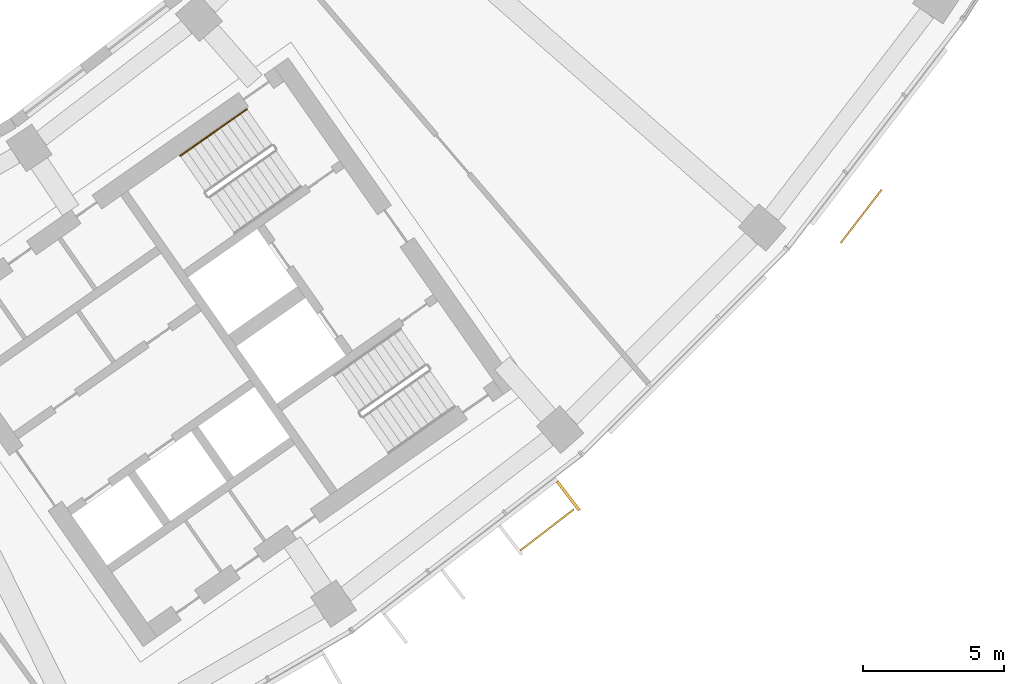
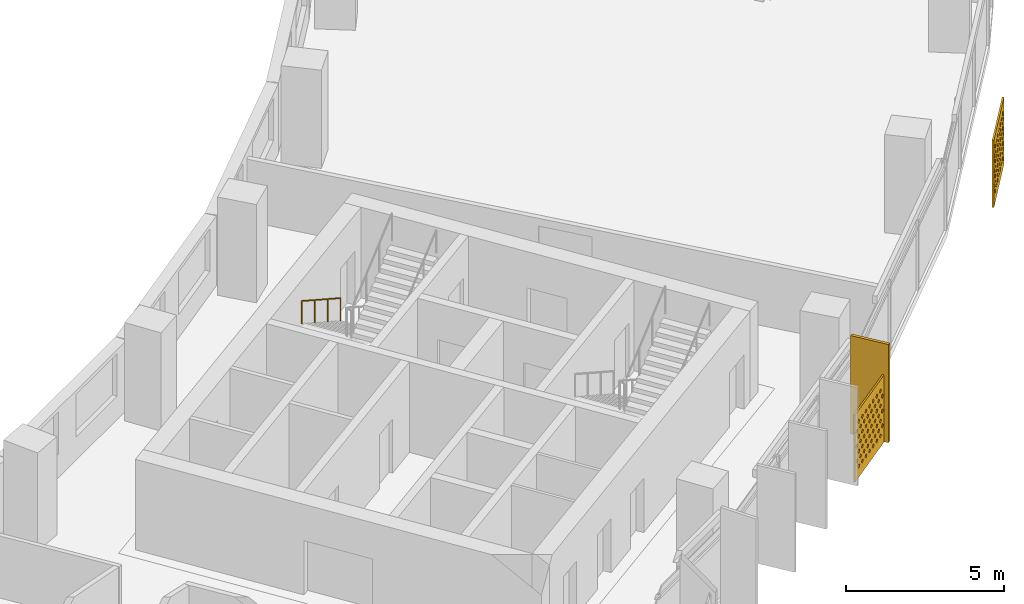
# One storey, part 26 of 26: 3 shading devices, 1 railing.
"""IFC4 building model written with IfcOpenShell, lengths in metres."""

from ifc_helpers import new_model, si_unit, direction, frame, origin, origin_2d, place, context, subcontext, project, spatial, polyline, rectangle, circle, outline, extrude, material, material_profile, profile_set, type_object, element, save


model = new_model("IFC4")

# Units and contexts
model_context = context("Model", 3, precision=1e-05, world=origin(), true_north=direction((0.0, 1.0)))
body_context = subcontext(model_context, "Body", "Model", "MODEL_VIEW")
ifc_project = project(units=[si_unit("LENGTHUNIT", "METRE"), si_unit("AREAUNIT", "SQUARE_METRE"), si_unit("VOLUMEUNIT", "CUBIC_METRE"), si_unit("PLANEANGLEUNIT", "RADIAN"), si_unit("MASSUNIT", "GRAM", prefix="KILO")], contexts=[model_context])

# Site, building, storey
site_placement = place(None, origin())
site = spatial("IfcSite", under=ifc_project, at=site_placement, CompositionType="ELEMENT")
building_placement = place(site_placement, origin())
building = spatial("IfcBuilding", under=site, at=building_placement, Name="Qamariyya Broadcast Tower", CompositionType="ELEMENT")
storey_placement = place(building_placement, frame((0.0, 0.0, 168.300048828125)))
storey = spatial("IfcBuildingStorey", under=building, at=storey_placement, Name="L39", CompositionType="ELEMENT", Elevation=168.300048828125)

# Shading devices
ifc_material_1 = material(Name="Perforated glazed terracotta", Category="masonry")
ifc_material_profile_1 = material_profile(ifc_material_1, outline(polyline([(-1.199951171875, -1.300048828125), (1.199951171875, -1.300048828125), (1.199951171875, 1.300048828125), (-1.199951171875, 1.300048828125), (-1.199951171875, -1.300048828125)]), holes=[polyline([(-0.81494140625, -0.86669921875), (-0.89990234375, -0.78173828125), (-0.985107421875, -0.86669921875), (-0.89990234375, -0.95166015625), (-0.81494140625, -0.86669921875)]), polyline([(-0.514892578125, -0.86669921875), (-0.60009765625, -0.78173828125), (-0.68505859375, -0.86669921875), (-0.60009765625, -0.95166015625), (-0.514892578125, -0.86669921875)]), polyline([(-0.215087890625, -0.86669921875), (-0.300048828125, -0.78173828125), (-0.385009765625, -0.86669921875), (-0.300048828125, -0.95166015625), (-0.215087890625, -0.86669921875)]), polyline([(0.0849609375, -0.86669921875), (0.0, -0.78173828125), (-0.0849609375, -0.86669921875), (0.0, -0.95166015625), (0.0849609375, -0.86669921875)]), polyline([(0.385009765625, -0.86669921875), (0.300048828125, -0.78173828125), (0.215087890625, -0.86669921875), (0.300048828125, -0.95166015625), (0.385009765625, -0.86669921875)]), polyline([(0.68505859375, -0.86669921875), (0.60009765625, -0.78173828125), (0.514892578125, -0.86669921875), (0.60009765625, -0.95166015625), (0.68505859375, -0.86669921875)]), polyline([(0.985107421875, -0.86669921875), (0.89990234375, -0.78173828125), (0.81494140625, -0.86669921875), (0.89990234375, -0.95166015625), (0.985107421875, -0.86669921875)]), polyline([(-0.965087890625, -0.577880859375), (-1.050048828125, -0.49267578125), (-1.135009765625, -0.577880859375), (-1.050048828125, -0.662841796875), (-0.965087890625, -0.577880859375)]), polyline([(-0.6650390625, -0.577880859375), (-0.75, -0.49267578125), (-0.8349609375, -0.577880859375), (-0.75, -0.662841796875), (-0.6650390625, -0.577880859375)]), polyline([(-0.364990234375, -0.577880859375), (-0.449951171875, -0.49267578125), (-0.534912109375, -0.577880859375), (-0.449951171875, -0.662841796875), (-0.364990234375, -0.577880859375)]), polyline([(-0.06494140625, -0.577880859375), (-0.14990234375, -0.49267578125), (-0.235107421875, -0.577880859375), (-0.14990234375, -0.662841796875), (-0.06494140625, -0.577880859375)]), polyline([(0.235107421875, -0.577880859375), (0.14990234375, -0.49267578125), (0.06494140625, -0.577880859375), (0.14990234375, -0.662841796875), (0.235107421875, -0.577880859375)]), polyline([(0.534912109375, -0.577880859375), (0.449951171875, -0.49267578125), (0.364990234375, -0.577880859375), (0.449951171875, -0.662841796875), (0.534912109375, -0.577880859375)]), polyline([(0.8349609375, -0.577880859375), (0.75, -0.49267578125), (0.6650390625, -0.577880859375), (0.75, -0.662841796875), (0.8349609375, -0.577880859375)]), polyline([(1.135009765625, -0.577880859375), (1.050048828125, -0.49267578125), (0.965087890625, -0.577880859375), (1.050048828125, -0.662841796875), (1.135009765625, -0.577880859375)]), polyline([(-0.81494140625, -0.288818359375), (-0.89990234375, -0.203857421875), (-0.985107421875, -0.288818359375), (-0.89990234375, -0.373779296875), (-0.81494140625, -0.288818359375)]), polyline([(-0.514892578125, -0.288818359375), (-0.60009765625, -0.203857421875), (-0.68505859375, -0.288818359375), (-0.60009765625, -0.373779296875), (-0.514892578125, -0.288818359375)]), polyline([(-0.215087890625, -0.288818359375), (-0.300048828125, -0.203857421875), (-0.385009765625, -0.288818359375), (-0.300048828125, -0.373779296875), (-0.215087890625, -0.288818359375)]), polyline([(0.0849609375, -0.288818359375), (0.0, -0.203857421875), (-0.0849609375, -0.288818359375), (0.0, -0.373779296875), (0.0849609375, -0.288818359375)]), polyline([(0.385009765625, -0.288818359375), (0.300048828125, -0.203857421875), (0.215087890625, -0.288818359375), (0.300048828125, -0.373779296875), (0.385009765625, -0.288818359375)]), polyline([(0.68505859375, -0.288818359375), (0.60009765625, -0.203857421875), (0.514892578125, -0.288818359375), (0.60009765625, -0.373779296875), (0.68505859375, -0.288818359375)]), polyline([(0.985107421875, -0.288818359375), (0.89990234375, -0.203857421875), (0.81494140625, -0.288818359375), (0.89990234375, -0.373779296875), (0.985107421875, -0.288818359375)]), polyline([(-0.965087890625, 0.0), (-1.050048828125, 0.0849609375), (-1.135009765625, 0.0), (-1.050048828125, -0.0849609375), (-0.965087890625, 0.0)]), polyline([(-0.6650390625, 0.0), (-0.75, 0.0849609375), (-0.8349609375, 0.0), (-0.75, -0.0849609375), (-0.6650390625, 0.0)]), polyline([(-0.364990234375, 0.0), (-0.449951171875, 0.0849609375), (-0.534912109375, 0.0), (-0.449951171875, -0.0849609375), (-0.364990234375, 0.0)]), polyline([(-0.06494140625, 0.0), (-0.14990234375, 0.0849609375), (-0.235107421875, 0.0), (-0.14990234375, -0.0849609375), (-0.06494140625, 0.0)]), polyline([(0.235107421875, 0.0), (0.14990234375, 0.0849609375), (0.06494140625, 0.0), (0.14990234375, -0.0849609375), (0.235107421875, 0.0)]), polyline([(0.534912109375, 0.0), (0.449951171875, 0.0849609375), (0.364990234375, 0.0), (0.449951171875, -0.0849609375), (0.534912109375, 0.0)]), polyline([(0.8349609375, 0.0), (0.75, 0.0849609375), (0.6650390625, 0.0), (0.75, -0.0849609375), (0.8349609375, 0.0)]), polyline([(1.135009765625, 0.0), (1.050048828125, 0.0849609375), (0.965087890625, 0.0), (1.050048828125, -0.0849609375), (1.135009765625, 0.0)]), polyline([(-0.81494140625, 0.288818359375), (-0.89990234375, 0.373779296875), (-0.985107421875, 0.288818359375), (-0.89990234375, 0.203857421875), (-0.81494140625, 0.288818359375)]), polyline([(-0.514892578125, 0.288818359375), (-0.60009765625, 0.373779296875), (-0.68505859375, 0.288818359375), (-0.60009765625, 0.203857421875), (-0.514892578125, 0.288818359375)]), polyline([(-0.215087890625, 0.288818359375), (-0.300048828125, 0.373779296875), (-0.385009765625, 0.288818359375), (-0.300048828125, 0.203857421875), (-0.215087890625, 0.288818359375)]), polyline([(0.0849609375, 0.288818359375), (0.0, 0.373779296875), (-0.0849609375, 0.288818359375), (0.0, 0.203857421875), (0.0849609375, 0.288818359375)]), polyline([(0.385009765625, 0.288818359375), (0.300048828125, 0.373779296875), (0.215087890625, 0.288818359375), (0.300048828125, 0.203857421875), (0.385009765625, 0.288818359375)]), polyline([(0.68505859375, 0.288818359375), (0.60009765625, 0.373779296875), (0.514892578125, 0.288818359375), (0.60009765625, 0.203857421875), (0.68505859375, 0.288818359375)]), polyline([(0.985107421875, 0.288818359375), (0.89990234375, 0.373779296875), (0.81494140625, 0.288818359375), (0.89990234375, 0.203857421875), (0.985107421875, 0.288818359375)]), polyline([(-0.965087890625, 0.577880859375), (-1.050048828125, 0.662841796875), (-1.135009765625, 0.577880859375), (-1.050048828125, 0.49267578125), (-0.965087890625, 0.577880859375)]), polyline([(-0.6650390625, 0.577880859375), (-0.75, 0.662841796875), (-0.8349609375, 0.577880859375), (-0.75, 0.49267578125), (-0.6650390625, 0.577880859375)]), polyline([(-0.364990234375, 0.577880859375), (-0.449951171875, 0.662841796875), (-0.534912109375, 0.577880859375), (-0.449951171875, 0.49267578125), (-0.364990234375, 0.577880859375)]), polyline([(-0.06494140625, 0.577880859375), (-0.14990234375, 0.662841796875), (-0.235107421875, 0.577880859375), (-0.14990234375, 0.49267578125), (-0.06494140625, 0.577880859375)]), polyline([(0.235107421875, 0.577880859375), (0.14990234375, 0.662841796875), (0.06494140625, 0.577880859375), (0.14990234375, 0.49267578125), (0.235107421875, 0.577880859375)]), polyline([(0.534912109375, 0.577880859375), (0.449951171875, 0.662841796875), (0.364990234375, 0.577880859375), (0.449951171875, 0.49267578125), (0.534912109375, 0.577880859375)]), polyline([(0.8349609375, 0.577880859375), (0.75, 0.662841796875), (0.6650390625, 0.577880859375), (0.75, 0.49267578125), (0.8349609375, 0.577880859375)]), polyline([(1.135009765625, 0.577880859375), (1.050048828125, 0.662841796875), (0.965087890625, 0.577880859375), (1.050048828125, 0.49267578125), (1.135009765625, 0.577880859375)]), polyline([(-0.81494140625, 0.86669921875), (-0.89990234375, 0.95166015625), (-0.985107421875, 0.86669921875), (-0.89990234375, 0.78173828125), (-0.81494140625, 0.86669921875)]), polyline([(-0.514892578125, 0.86669921875), (-0.60009765625, 0.95166015625), (-0.68505859375, 0.86669921875), (-0.60009765625, 0.78173828125), (-0.514892578125, 0.86669921875)]), polyline([(-0.215087890625, 0.86669921875), (-0.300048828125, 0.95166015625), (-0.385009765625, 0.86669921875), (-0.300048828125, 0.78173828125), (-0.215087890625, 0.86669921875)]), polyline([(0.0849609375, 0.86669921875), (0.0, 0.95166015625), (-0.0849609375, 0.86669921875), (0.0, 0.78173828125), (0.0849609375, 0.86669921875)]), polyline([(0.385009765625, 0.86669921875), (0.300048828125, 0.95166015625), (0.215087890625, 0.86669921875), (0.300048828125, 0.78173828125), (0.385009765625, 0.86669921875)]), polyline([(0.68505859375, 0.86669921875), (0.60009765625, 0.95166015625), (0.514892578125, 0.86669921875), (0.60009765625, 0.78173828125), (0.68505859375, 0.86669921875)]), polyline([(0.985107421875, 0.86669921875), (0.89990234375, 0.95166015625), (0.81494140625, 0.86669921875), (0.89990234375, 0.78173828125), (0.985107421875, 0.86669921875)])]))
ifc_profile_set_1 = profile_set([ifc_material_profile_1], Name="Perforated glazed terracotta")
shading_device_type_1 = type_object("IfcShadingDeviceType", Name="Perforated terracotta screen 2400 x 2600", PredefinedType="USERDEFINED", material=ifc_profile_set_1)
shading_device_1_placement = place(storey_placement, frame((50.77880859375, -62.0009765625, 1.349853515625), z_axis=(0.60971076085, -0.792623989105, 0.0), x_axis=(0.792623989105, 0.60971076085, 0.0)))
element("IfcShadingDevice", 1, at=shading_device_1_placement, inside=storey, type_object=shading_device_type_1, Name="e-scr-L39-12-2", ObjectType="SCREEN", PredefinedType="USERDEFINED", context=body_context, shape_type="SweptSolid", body=[
    extrude(outline(polyline([(-1.199951171875, -1.300048828125), (1.199951171875, -1.300048828125), (1.199951171875, 1.300048828125), (-1.199951171875, 1.300048828125), (-1.199951171875, -1.300048828125)]), holes=[polyline([(-0.81494140625, -0.86669921875), (-0.89990234375, -0.78173828125), (-0.985107421875, -0.86669921875), (-0.89990234375, -0.95166015625), (-0.81494140625, -0.86669921875)]), polyline([(-0.514892578125, -0.86669921875), (-0.60009765625, -0.78173828125), (-0.68505859375, -0.86669921875), (-0.60009765625, -0.95166015625), (-0.514892578125, -0.86669921875)]), polyline([(-0.215087890625, -0.86669921875), (-0.300048828125, -0.78173828125), (-0.385009765625, -0.86669921875), (-0.300048828125, -0.95166015625), (-0.215087890625, -0.86669921875)]), polyline([(0.0849609375, -0.86669921875), (0.0, -0.78173828125), (-0.0849609375, -0.86669921875), (0.0, -0.95166015625), (0.0849609375, -0.86669921875)]), polyline([(0.385009765625, -0.86669921875), (0.300048828125, -0.78173828125), (0.215087890625, -0.86669921875), (0.300048828125, -0.95166015625), (0.385009765625, -0.86669921875)]), polyline([(0.68505859375, -0.86669921875), (0.60009765625, -0.78173828125), (0.514892578125, -0.86669921875), (0.60009765625, -0.95166015625), (0.68505859375, -0.86669921875)]), polyline([(0.985107421875, -0.86669921875), (0.89990234375, -0.78173828125), (0.81494140625, -0.86669921875), (0.89990234375, -0.95166015625), (0.985107421875, -0.86669921875)]), polyline([(-0.965087890625, -0.577880859375), (-1.050048828125, -0.49267578125), (-1.135009765625, -0.577880859375), (-1.050048828125, -0.662841796875), (-0.965087890625, -0.577880859375)]), polyline([(-0.6650390625, -0.577880859375), (-0.75, -0.49267578125), (-0.8349609375, -0.577880859375), (-0.75, -0.662841796875), (-0.6650390625, -0.577880859375)]), polyline([(-0.364990234375, -0.577880859375), (-0.449951171875, -0.49267578125), (-0.534912109375, -0.577880859375), (-0.449951171875, -0.662841796875), (-0.364990234375, -0.577880859375)]), polyline([(-0.06494140625, -0.577880859375), (-0.14990234375, -0.49267578125), (-0.235107421875, -0.577880859375), (-0.14990234375, -0.662841796875), (-0.06494140625, -0.577880859375)]), polyline([(0.235107421875, -0.577880859375), (0.14990234375, -0.49267578125), (0.06494140625, -0.577880859375), (0.14990234375, -0.662841796875), (0.235107421875, -0.577880859375)]), polyline([(0.534912109375, -0.577880859375), (0.449951171875, -0.49267578125), (0.364990234375, -0.577880859375), (0.449951171875, -0.662841796875), (0.534912109375, -0.577880859375)]), polyline([(0.8349609375, -0.577880859375), (0.75, -0.49267578125), (0.6650390625, -0.577880859375), (0.75, -0.662841796875), (0.8349609375, -0.577880859375)]), polyline([(1.135009765625, -0.577880859375), (1.050048828125, -0.49267578125), (0.965087890625, -0.577880859375), (1.050048828125, -0.662841796875), (1.135009765625, -0.577880859375)]), polyline([(-0.81494140625, -0.288818359375), (-0.89990234375, -0.203857421875), (-0.985107421875, -0.288818359375), (-0.89990234375, -0.373779296875), (-0.81494140625, -0.288818359375)]), polyline([(-0.514892578125, -0.288818359375), (-0.60009765625, -0.203857421875), (-0.68505859375, -0.288818359375), (-0.60009765625, -0.373779296875), (-0.514892578125, -0.288818359375)]), polyline([(-0.215087890625, -0.288818359375), (-0.300048828125, -0.203857421875), (-0.385009765625, -0.288818359375), (-0.300048828125, -0.373779296875), (-0.215087890625, -0.288818359375)]), polyline([(0.0849609375, -0.288818359375), (0.0, -0.203857421875), (-0.0849609375, -0.288818359375), (0.0, -0.373779296875), (0.0849609375, -0.288818359375)]), polyline([(0.385009765625, -0.288818359375), (0.300048828125, -0.203857421875), (0.215087890625, -0.288818359375), (0.300048828125, -0.373779296875), (0.385009765625, -0.288818359375)]), polyline([(0.68505859375, -0.288818359375), (0.60009765625, -0.203857421875), (0.514892578125, -0.288818359375), (0.60009765625, -0.373779296875), (0.68505859375, -0.288818359375)]), polyline([(0.985107421875, -0.288818359375), (0.89990234375, -0.203857421875), (0.81494140625, -0.288818359375), (0.89990234375, -0.373779296875), (0.985107421875, -0.288818359375)]), polyline([(-0.965087890625, 0.0), (-1.050048828125, 0.0849609375), (-1.135009765625, 0.0), (-1.050048828125, -0.0849609375), (-0.965087890625, 0.0)]), polyline([(-0.6650390625, 0.0), (-0.75, 0.0849609375), (-0.8349609375, 0.0), (-0.75, -0.0849609375), (-0.6650390625, 0.0)]), polyline([(-0.364990234375, 0.0), (-0.449951171875, 0.0849609375), (-0.534912109375, 0.0), (-0.449951171875, -0.0849609375), (-0.364990234375, 0.0)]), polyline([(-0.06494140625, 0.0), (-0.14990234375, 0.0849609375), (-0.235107421875, 0.0), (-0.14990234375, -0.0849609375), (-0.06494140625, 0.0)]), polyline([(0.235107421875, 0.0), (0.14990234375, 0.0849609375), (0.06494140625, 0.0), (0.14990234375, -0.0849609375), (0.235107421875, 0.0)]), polyline([(0.534912109375, 0.0), (0.449951171875, 0.0849609375), (0.364990234375, 0.0), (0.449951171875, -0.0849609375), (0.534912109375, 0.0)]), polyline([(0.8349609375, 0.0), (0.75, 0.0849609375), (0.6650390625, 0.0), (0.75, -0.0849609375), (0.8349609375, 0.0)]), polyline([(1.135009765625, 0.0), (1.050048828125, 0.0849609375), (0.965087890625, 0.0), (1.050048828125, -0.0849609375), (1.135009765625, 0.0)]), polyline([(-0.81494140625, 0.288818359375), (-0.89990234375, 0.373779296875), (-0.985107421875, 0.288818359375), (-0.89990234375, 0.203857421875), (-0.81494140625, 0.288818359375)]), polyline([(-0.514892578125, 0.288818359375), (-0.60009765625, 0.373779296875), (-0.68505859375, 0.288818359375), (-0.60009765625, 0.203857421875), (-0.514892578125, 0.288818359375)]), polyline([(-0.215087890625, 0.288818359375), (-0.300048828125, 0.373779296875), (-0.385009765625, 0.288818359375), (-0.300048828125, 0.203857421875), (-0.215087890625, 0.288818359375)]), polyline([(0.0849609375, 0.288818359375), (0.0, 0.373779296875), (-0.0849609375, 0.288818359375), (0.0, 0.203857421875), (0.0849609375, 0.288818359375)]), polyline([(0.385009765625, 0.288818359375), (0.300048828125, 0.373779296875), (0.215087890625, 0.288818359375), (0.300048828125, 0.203857421875), (0.385009765625, 0.288818359375)]), polyline([(0.68505859375, 0.288818359375), (0.60009765625, 0.373779296875), (0.514892578125, 0.288818359375), (0.60009765625, 0.203857421875), (0.68505859375, 0.288818359375)]), polyline([(0.985107421875, 0.288818359375), (0.89990234375, 0.373779296875), (0.81494140625, 0.288818359375), (0.89990234375, 0.203857421875), (0.985107421875, 0.288818359375)]), polyline([(-0.965087890625, 0.577880859375), (-1.050048828125, 0.662841796875), (-1.135009765625, 0.577880859375), (-1.050048828125, 0.49267578125), (-0.965087890625, 0.577880859375)]), polyline([(-0.6650390625, 0.577880859375), (-0.75, 0.662841796875), (-0.8349609375, 0.577880859375), (-0.75, 0.49267578125), (-0.6650390625, 0.577880859375)]), polyline([(-0.364990234375, 0.577880859375), (-0.449951171875, 0.662841796875), (-0.534912109375, 0.577880859375), (-0.449951171875, 0.49267578125), (-0.364990234375, 0.577880859375)]), polyline([(-0.06494140625, 0.577880859375), (-0.14990234375, 0.662841796875), (-0.235107421875, 0.577880859375), (-0.14990234375, 0.49267578125), (-0.06494140625, 0.577880859375)]), polyline([(0.235107421875, 0.577880859375), (0.14990234375, 0.662841796875), (0.06494140625, 0.577880859375), (0.14990234375, 0.49267578125), (0.235107421875, 0.577880859375)]), polyline([(0.534912109375, 0.577880859375), (0.449951171875, 0.662841796875), (0.364990234375, 0.577880859375), (0.449951171875, 0.49267578125), (0.534912109375, 0.577880859375)]), polyline([(0.8349609375, 0.577880859375), (0.75, 0.662841796875), (0.6650390625, 0.577880859375), (0.75, 0.49267578125), (0.8349609375, 0.577880859375)]), polyline([(1.135009765625, 0.577880859375), (1.050048828125, 0.662841796875), (0.965087890625, 0.577880859375), (1.050048828125, 0.49267578125), (1.135009765625, 0.577880859375)]), polyline([(-0.81494140625, 0.86669921875), (-0.89990234375, 0.95166015625), (-0.985107421875, 0.86669921875), (-0.89990234375, 0.78173828125), (-0.81494140625, 0.86669921875)]), polyline([(-0.514892578125, 0.86669921875), (-0.60009765625, 0.95166015625), (-0.68505859375, 0.86669921875), (-0.60009765625, 0.78173828125), (-0.514892578125, 0.86669921875)]), polyline([(-0.215087890625, 0.86669921875), (-0.300048828125, 0.95166015625), (-0.385009765625, 0.86669921875), (-0.300048828125, 0.78173828125), (-0.215087890625, 0.86669921875)]), polyline([(0.0849609375, 0.86669921875), (0.0, 0.95166015625), (-0.0849609375, 0.86669921875), (0.0, 0.78173828125), (0.0849609375, 0.86669921875)]), polyline([(0.385009765625, 0.86669921875), (0.300048828125, 0.95166015625), (0.215087890625, 0.86669921875), (0.300048828125, 0.78173828125), (0.385009765625, 0.86669921875)]), polyline([(0.68505859375, 0.86669921875), (0.60009765625, 0.95166015625), (0.514892578125, 0.86669921875), (0.60009765625, 0.78173828125), (0.68505859375, 0.86669921875)]), polyline([(0.985107421875, 0.86669921875), (0.89990234375, 0.95166015625), (0.81494140625, 0.86669921875), (0.89990234375, 0.78173828125), (0.985107421875, 0.86669921875)])]), origin(), (0.0, 0.0, 1.0), 0.06005859375),
])
shading_device_2_placement = place(storey_placement, frame((61.9501953125, -50.844970703125, 1.349853515625), z_axis=(0.792623989105, -0.60971076085, 0.0), x_axis=(0.60971076085, 0.792623989105, 0.0)))
element("IfcShadingDevice", 2, at=shading_device_2_placement, inside=storey, type_object=shading_device_type_1, Name="e-scr-L39-14-0", ObjectType="SCREEN", PredefinedType="USERDEFINED", context=body_context, shape_type="SweptSolid", body=[
    extrude(outline(polyline([(-1.199951171875, -1.300048828125), (1.199951171875, -1.300048828125), (1.199951171875, 1.300048828125), (-1.199951171875, 1.300048828125), (-1.199951171875, -1.300048828125)]), holes=[polyline([(-0.81494140625, -0.86669921875), (-0.89990234375, -0.78173828125), (-0.985107421875, -0.86669921875), (-0.89990234375, -0.95166015625), (-0.81494140625, -0.86669921875)]), polyline([(-0.514892578125, -0.86669921875), (-0.60009765625, -0.78173828125), (-0.68505859375, -0.86669921875), (-0.60009765625, -0.95166015625), (-0.514892578125, -0.86669921875)]), polyline([(-0.215087890625, -0.86669921875), (-0.300048828125, -0.78173828125), (-0.385009765625, -0.86669921875), (-0.300048828125, -0.95166015625), (-0.215087890625, -0.86669921875)]), polyline([(0.0849609375, -0.86669921875), (0.0, -0.78173828125), (-0.0849609375, -0.86669921875), (0.0, -0.95166015625), (0.0849609375, -0.86669921875)]), polyline([(0.385009765625, -0.86669921875), (0.300048828125, -0.78173828125), (0.215087890625, -0.86669921875), (0.300048828125, -0.95166015625), (0.385009765625, -0.86669921875)]), polyline([(0.68505859375, -0.86669921875), (0.60009765625, -0.78173828125), (0.514892578125, -0.86669921875), (0.60009765625, -0.95166015625), (0.68505859375, -0.86669921875)]), polyline([(0.985107421875, -0.86669921875), (0.89990234375, -0.78173828125), (0.81494140625, -0.86669921875), (0.89990234375, -0.95166015625), (0.985107421875, -0.86669921875)]), polyline([(-0.965087890625, -0.577880859375), (-1.050048828125, -0.49267578125), (-1.135009765625, -0.577880859375), (-1.050048828125, -0.662841796875), (-0.965087890625, -0.577880859375)]), polyline([(-0.6650390625, -0.577880859375), (-0.75, -0.49267578125), (-0.8349609375, -0.577880859375), (-0.75, -0.662841796875), (-0.6650390625, -0.577880859375)]), polyline([(-0.364990234375, -0.577880859375), (-0.449951171875, -0.49267578125), (-0.534912109375, -0.577880859375), (-0.449951171875, -0.662841796875), (-0.364990234375, -0.577880859375)]), polyline([(-0.06494140625, -0.577880859375), (-0.14990234375, -0.49267578125), (-0.235107421875, -0.577880859375), (-0.14990234375, -0.662841796875), (-0.06494140625, -0.577880859375)]), polyline([(0.235107421875, -0.577880859375), (0.14990234375, -0.49267578125), (0.06494140625, -0.577880859375), (0.14990234375, -0.662841796875), (0.235107421875, -0.577880859375)]), polyline([(0.534912109375, -0.577880859375), (0.449951171875, -0.49267578125), (0.364990234375, -0.577880859375), (0.449951171875, -0.662841796875), (0.534912109375, -0.577880859375)]), polyline([(0.8349609375, -0.577880859375), (0.75, -0.49267578125), (0.6650390625, -0.577880859375), (0.75, -0.662841796875), (0.8349609375, -0.577880859375)]), polyline([(1.135009765625, -0.577880859375), (1.050048828125, -0.49267578125), (0.965087890625, -0.577880859375), (1.050048828125, -0.662841796875), (1.135009765625, -0.577880859375)]), polyline([(-0.81494140625, -0.288818359375), (-0.89990234375, -0.203857421875), (-0.985107421875, -0.288818359375), (-0.89990234375, -0.373779296875), (-0.81494140625, -0.288818359375)]), polyline([(-0.514892578125, -0.288818359375), (-0.60009765625, -0.203857421875), (-0.68505859375, -0.288818359375), (-0.60009765625, -0.373779296875), (-0.514892578125, -0.288818359375)]), polyline([(-0.215087890625, -0.288818359375), (-0.300048828125, -0.203857421875), (-0.385009765625, -0.288818359375), (-0.300048828125, -0.373779296875), (-0.215087890625, -0.288818359375)]), polyline([(0.0849609375, -0.288818359375), (0.0, -0.203857421875), (-0.0849609375, -0.288818359375), (0.0, -0.373779296875), (0.0849609375, -0.288818359375)]), polyline([(0.385009765625, -0.288818359375), (0.300048828125, -0.203857421875), (0.215087890625, -0.288818359375), (0.300048828125, -0.373779296875), (0.385009765625, -0.288818359375)]), polyline([(0.68505859375, -0.288818359375), (0.60009765625, -0.203857421875), (0.514892578125, -0.288818359375), (0.60009765625, -0.373779296875), (0.68505859375, -0.288818359375)]), polyline([(0.985107421875, -0.288818359375), (0.89990234375, -0.203857421875), (0.81494140625, -0.288818359375), (0.89990234375, -0.373779296875), (0.985107421875, -0.288818359375)]), polyline([(-0.965087890625, 0.0), (-1.050048828125, 0.0849609375), (-1.135009765625, 0.0), (-1.050048828125, -0.0849609375), (-0.965087890625, 0.0)]), polyline([(-0.6650390625, 0.0), (-0.75, 0.0849609375), (-0.8349609375, 0.0), (-0.75, -0.0849609375), (-0.6650390625, 0.0)]), polyline([(-0.364990234375, 0.0), (-0.449951171875, 0.0849609375), (-0.534912109375, 0.0), (-0.449951171875, -0.0849609375), (-0.364990234375, 0.0)]), polyline([(-0.06494140625, 0.0), (-0.14990234375, 0.0849609375), (-0.235107421875, 0.0), (-0.14990234375, -0.0849609375), (-0.06494140625, 0.0)]), polyline([(0.235107421875, 0.0), (0.14990234375, 0.0849609375), (0.06494140625, 0.0), (0.14990234375, -0.0849609375), (0.235107421875, 0.0)]), polyline([(0.534912109375, 0.0), (0.449951171875, 0.0849609375), (0.364990234375, 0.0), (0.449951171875, -0.0849609375), (0.534912109375, 0.0)]), polyline([(0.8349609375, 0.0), (0.75, 0.0849609375), (0.6650390625, 0.0), (0.75, -0.0849609375), (0.8349609375, 0.0)]), polyline([(1.135009765625, 0.0), (1.050048828125, 0.0849609375), (0.965087890625, 0.0), (1.050048828125, -0.0849609375), (1.135009765625, 0.0)]), polyline([(-0.81494140625, 0.288818359375), (-0.89990234375, 0.373779296875), (-0.985107421875, 0.288818359375), (-0.89990234375, 0.203857421875), (-0.81494140625, 0.288818359375)]), polyline([(-0.514892578125, 0.288818359375), (-0.60009765625, 0.373779296875), (-0.68505859375, 0.288818359375), (-0.60009765625, 0.203857421875), (-0.514892578125, 0.288818359375)]), polyline([(-0.215087890625, 0.288818359375), (-0.300048828125, 0.373779296875), (-0.385009765625, 0.288818359375), (-0.300048828125, 0.203857421875), (-0.215087890625, 0.288818359375)]), polyline([(0.0849609375, 0.288818359375), (0.0, 0.373779296875), (-0.0849609375, 0.288818359375), (0.0, 0.203857421875), (0.0849609375, 0.288818359375)]), polyline([(0.385009765625, 0.288818359375), (0.300048828125, 0.373779296875), (0.215087890625, 0.288818359375), (0.300048828125, 0.203857421875), (0.385009765625, 0.288818359375)]), polyline([(0.68505859375, 0.288818359375), (0.60009765625, 0.373779296875), (0.514892578125, 0.288818359375), (0.60009765625, 0.203857421875), (0.68505859375, 0.288818359375)]), polyline([(0.985107421875, 0.288818359375), (0.89990234375, 0.373779296875), (0.81494140625, 0.288818359375), (0.89990234375, 0.203857421875), (0.985107421875, 0.288818359375)]), polyline([(-0.965087890625, 0.577880859375), (-1.050048828125, 0.662841796875), (-1.135009765625, 0.577880859375), (-1.050048828125, 0.49267578125), (-0.965087890625, 0.577880859375)]), polyline([(-0.6650390625, 0.577880859375), (-0.75, 0.662841796875), (-0.8349609375, 0.577880859375), (-0.75, 0.49267578125), (-0.6650390625, 0.577880859375)]), polyline([(-0.364990234375, 0.577880859375), (-0.449951171875, 0.662841796875), (-0.534912109375, 0.577880859375), (-0.449951171875, 0.49267578125), (-0.364990234375, 0.577880859375)]), polyline([(-0.06494140625, 0.577880859375), (-0.14990234375, 0.662841796875), (-0.235107421875, 0.577880859375), (-0.14990234375, 0.49267578125), (-0.06494140625, 0.577880859375)]), polyline([(0.235107421875, 0.577880859375), (0.14990234375, 0.662841796875), (0.06494140625, 0.577880859375), (0.14990234375, 0.49267578125), (0.235107421875, 0.577880859375)]), polyline([(0.534912109375, 0.577880859375), (0.449951171875, 0.662841796875), (0.364990234375, 0.577880859375), (0.449951171875, 0.49267578125), (0.534912109375, 0.577880859375)]), polyline([(0.8349609375, 0.577880859375), (0.75, 0.662841796875), (0.6650390625, 0.577880859375), (0.75, 0.49267578125), (0.8349609375, 0.577880859375)]), polyline([(1.135009765625, 0.577880859375), (1.050048828125, 0.662841796875), (0.965087890625, 0.577880859375), (1.050048828125, 0.49267578125), (1.135009765625, 0.577880859375)]), polyline([(-0.81494140625, 0.86669921875), (-0.89990234375, 0.95166015625), (-0.985107421875, 0.86669921875), (-0.89990234375, 0.78173828125), (-0.81494140625, 0.86669921875)]), polyline([(-0.514892578125, 0.86669921875), (-0.60009765625, 0.95166015625), (-0.68505859375, 0.86669921875), (-0.60009765625, 0.78173828125), (-0.514892578125, 0.86669921875)]), polyline([(-0.215087890625, 0.86669921875), (-0.300048828125, 0.95166015625), (-0.385009765625, 0.86669921875), (-0.300048828125, 0.78173828125), (-0.215087890625, 0.86669921875)]), polyline([(0.0849609375, 0.86669921875), (0.0, 0.95166015625), (-0.0849609375, 0.86669921875), (0.0, 0.78173828125), (0.0849609375, 0.86669921875)]), polyline([(0.385009765625, 0.86669921875), (0.300048828125, 0.95166015625), (0.215087890625, 0.86669921875), (0.300048828125, 0.78173828125), (0.385009765625, 0.86669921875)]), polyline([(0.68505859375, 0.86669921875), (0.60009765625, 0.95166015625), (0.514892578125, 0.86669921875), (0.60009765625, 0.78173828125), (0.68505859375, 0.86669921875)]), polyline([(0.985107421875, 0.86669921875), (0.89990234375, 0.95166015625), (0.81494140625, 0.86669921875), (0.89990234375, 0.78173828125), (0.985107421875, 0.86669921875)])]), origin(), (0.0, 0.0, 1.0), 0.06005859375),
])

# Railing
ifc_material_2 = material(Name="Stainless steel", Category="steel")
railing_type = type_object("IfcRailingType", Name="Stair handrail", PredefinedType="HANDRAIL", material=ifc_material_2)
railing_placement = place(storey_placement, frame((40.1142578125, -47.05029296875, 0.172607421875)))
element("IfcRailing", 3, at=railing_placement, inside=storey, type_object=railing_type, Name="L39 ST-E2 stair handrail 1", PredefinedType="HANDRAIL", context=body_context, shape_type="SweptSolid", body=[
    extrude(circle(Radius=0.02392578125, at=origin_2d()), frame((0.0, 0.0, 0.8759765625), z_axis=(-0.703745009021, -0.492838488332, 0.511715923826), x_axis=(0.573631830683, -0.819113253969, 0.0)), (0.0, 0.0, 1.0), 3.37548828125),
    extrude(circle(Radius=0.02099609375, at=origin_2d()), origin(), (0.0, 0.0, 1.0), 0.851806640625),
    extrude(circle(Radius=0.02099609375, at=origin_2d()), frame((-0.791748046875, -0.554443359375, 0.57568359375)), (0.0, 0.0, 1.0), 0.851806640625),
    extrude(circle(Radius=0.02099609375, at=origin_2d()), frame((-1.583740234375, -1.109130859375, 1.151611328125)), (0.0, 0.0, 1.0), 0.851806640625),
    extrude(circle(Radius=0.02099609375, at=origin_2d()), frame((-2.37548828125, -1.66357421875, 1.727294921875)), (0.0, 0.0, 1.0), 0.851806640625),
])

# Shading device
ifc_material_3 = material(Name="Glazed terracotta", Category="masonry")
ifc_material_profile_2 = material_profile(ifc_material_3, rectangle(XDim=1.300048828125, YDim=0.10009765625, at=origin_2d()))
ifc_profile_set_2 = profile_set([ifc_material_profile_2], Name="Glazed terracotta")
shading_device_type_2 = type_object("IfcShadingDeviceType", Name="Terracotta fin 100 x 1300", PredefinedType="USERDEFINED", material=ifc_profile_set_2)
shading_device_3_placement = place(storey_placement, frame((51.550537109375, -60.81640625, 0.0), z_axis=(0.0, 0.0, 1.0), x_axis=(0.608761429009, -0.793353340291, 0.0)))
element("IfcShadingDevice", 4, at=shading_device_3_placement, inside=storey, type_object=shading_device_type_2, Name="e-fin-L39-12-3", ObjectType="FIN", PredefinedType="USERDEFINED", context=body_context, shape_type="SweptSolid", body=[
    extrude(rectangle(XDim=1.300048828125, YDim=0.10009765625, at=origin_2d()), origin(), (0.0, 0.0, 1.0), 3.800048828125),
])

save(model, "model.ifc")
